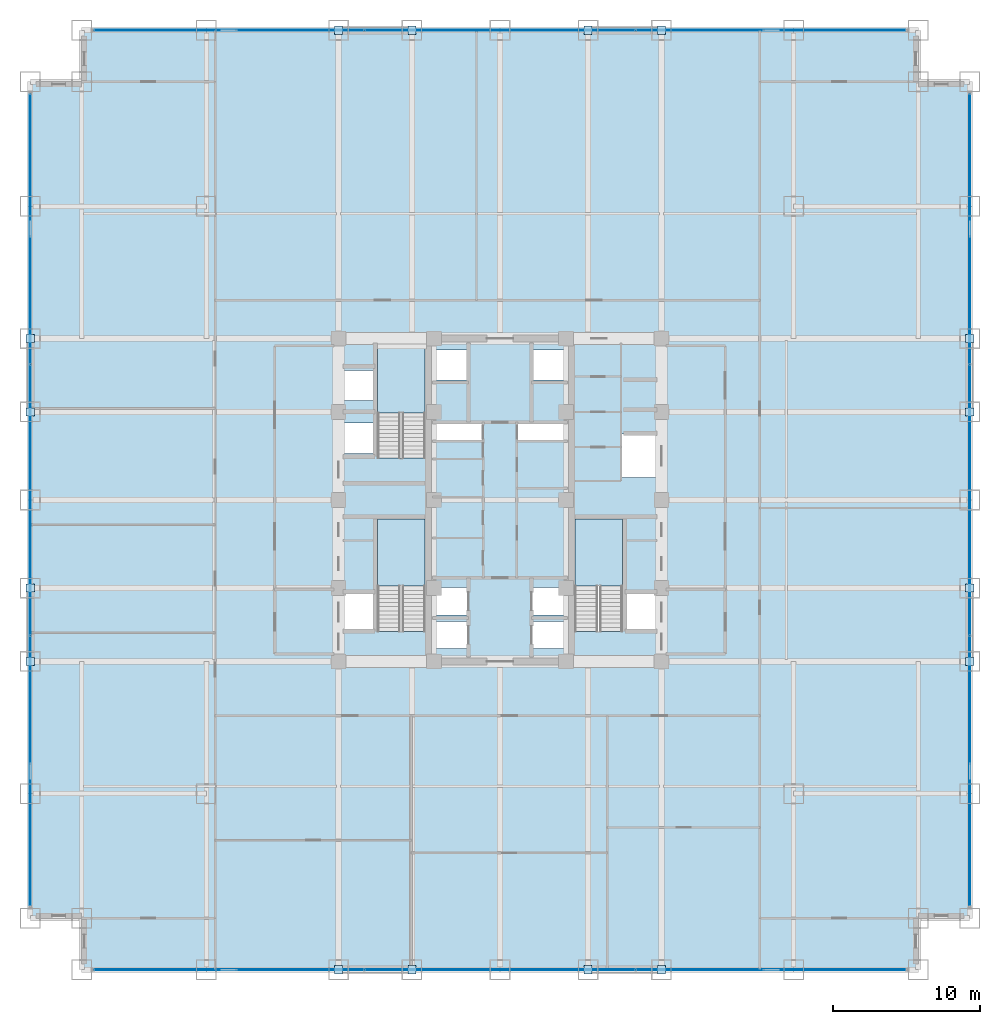
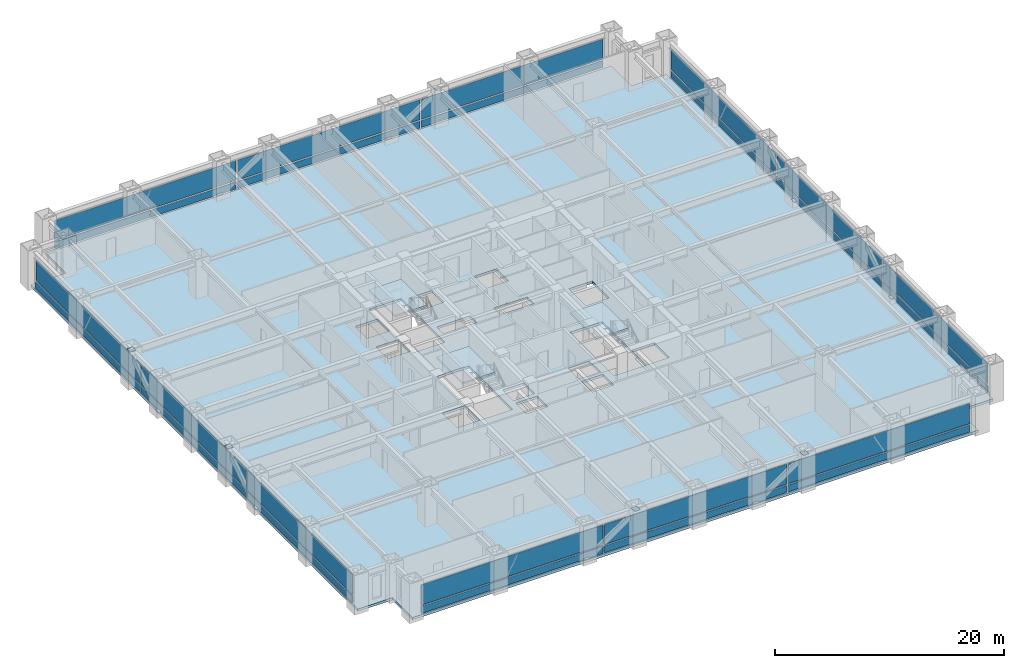
# One storey, part 22 of 28: 40 plates, 4 slabs, 7 elements without a shape of their own.
"""IFC4 building model written with IfcOpenShell, lengths in metres."""

from ifc_helpers import new_model, si_unit, direction, frame, origin, origin_2d, place, context, subcontext, project, spatial, polyline, rectangle, outline, extrude, source, transform, mapped, material, layer, layer_set, type_object, element, aggregate, save


model = new_model("IFC4")

# Units and contexts
model_context = context("Model", 3, precision=1e-05, world=origin(), true_north=direction((0.0, 1.0)))
body_context = subcontext(model_context, "Body", "Model", "MODEL_VIEW")
ifc_project = project(units=[si_unit("LENGTHUNIT", "METRE"), si_unit("AREAUNIT", "SQUARE_METRE"), si_unit("VOLUMEUNIT", "CUBIC_METRE"), si_unit("PLANEANGLEUNIT", "RADIAN"), si_unit("MASSUNIT", "GRAM", prefix="KILO")], contexts=[model_context])

# Site, building, storey
site_placement = place(None, origin())
site = spatial("IfcSite", under=ifc_project, at=site_placement, CompositionType="ELEMENT")
building_placement = place(site_placement, origin())
building = spatial("IfcBuilding", under=site, at=building_placement, Name="Khorayat Bourse Tower", CompositionType="ELEMENT")
storey_placement = place(building_placement, frame((0.0, 0.0, 57.800048828125)))
storey = spatial("IfcBuildingStorey", under=building, at=storey_placement, Name="L12", CompositionType="ELEMENT", Elevation=57.800048828125)

# Stair, slab
ifc_material_1 = material(Name="Concrete C40/50", Category="concrete")
stair_type = type_object("IfcStairType", Name="STR-CORE-1550", PredefinedType="HALF_TURN_STAIR", material=ifc_material_1)
stair_1_placement = place(storey_placement, origin())
stair_1 = element("IfcStair", 1, at=stair_1_placement, inside=storey, type_object=stair_type, Name="L12 Exit Stair ST-1", PredefinedType="HALF_TURN_STAIR")
ifc_layer_1 = layer(ifc_material_1, 0.199951171875)
ifc_layer_set_1 = layer_set([ifc_layer_1], Name="Concrete C40/50")
slab_type_1 = type_object("IfcSlabType", Name="SLB-LANDING-200", PredefinedType="LANDING", material=ifc_layer_set_1)
slab_1_placement = place(storey_placement, frame((0.0, 0.0, 1.89990234375)))
slab_1 = element("IfcSlab", 2, at=slab_1_placement, type_object=slab_type_1, Name="ST-1 landing 1", PredefinedType="LANDING", context=body_context, shape_type="SweptSolid", body=[
    extrude(outline(polyline([(-5.10009765625, -5.8701171875), (-5.10009765625, -1.300048828125), (-8.35009765625, -1.300048828125), (-8.35009765625, -5.8701171875), (-5.10009765625, -5.8701171875)])), origin(), (0.0, 0.0, 1.0), 0.199951171875),
])
aggregate(stair_1, [slab_1])

stair_2_placement = place(storey_placement, origin())
stair_2 = element("IfcStair", 3, at=stair_2_placement, inside=storey, type_object=stair_type, Name="L12 Exit Stair ST-2", PredefinedType="HALF_TURN_STAIR")
slab_2_placement = place(storey_placement, frame((0.0, 0.0, 1.89990234375)))
slab_2 = element("IfcSlab", 4, at=slab_2_placement, type_object=slab_type_1, Name="ST-2 landing 1", PredefinedType="LANDING", context=body_context, shape_type="SweptSolid", body=[
    extrude(outline(polyline([(-5.10009765625, 5.929931640625), (-5.10009765625, 10.5), (-8.35009765625, 10.5), (-8.35009765625, 5.929931640625), (-5.10009765625, 5.929931640625)])), origin(), (0.0, 0.0, 1.0), 0.199951171875),
])
aggregate(stair_2, [slab_2])

stair_3_placement = place(storey_placement, origin())
stair_3 = element("IfcStair", 5, at=stair_3_placement, inside=storey, type_object=stair_type, Name="L12 Exit Stair ST-3", PredefinedType="HALF_TURN_STAIR")
slab_3_placement = place(storey_placement, frame((0.0, 0.0, 1.89990234375)))
slab_3 = element("IfcSlab", 6, at=slab_3_placement, type_object=slab_type_1, Name="ST-3 landing 1", PredefinedType="LANDING", context=body_context, shape_type="SweptSolid", body=[
    extrude(outline(polyline([(8.35009765625, -5.8701171875), (8.35009765625, -1.300048828125), (5.10009765625, -1.300048828125), (5.10009765625, -5.8701171875), (8.35009765625, -5.8701171875)])), origin(), (0.0, 0.0, 1.0), 0.199951171875),
])
aggregate(stair_3, [slab_3])

# Slab
ifc_layer_2 = layer(ifc_material_1, 0.260009765625)
ifc_layer_set_2 = layer_set([ifc_layer_2], Name="Concrete C40/50")
slab_type_2 = type_object("IfcSlabType", Name="SLB-TRADE-260", PredefinedType="FLOOR", material=ifc_layer_set_2)
slab_4_placement = place(storey_placement, frame((0.0, 0.0, -0.260009765625)))
element("IfcSlab", 7, at=slab_4_placement, inside=storey, type_object=slab_type_2, Name="L12 Main Floor Slab", PredefinedType="FLOOR", context=body_context, shape_type="SweptSolid", body=[
    extrude(outline(polyline([(-28.5, -32.0), (28.5, -32.0), (28.5, -28.5), (32.0, -28.5), (32.0, 28.5), (28.5, 28.5), (28.5, 32.0), (-28.5, 32.0), (-28.5, 28.5), (-32.0, 28.5), (-32.0, -28.5), (-28.5, -28.5), (-28.5, -32.0)]), holes=[polyline([(-8.35009765625, -8.945068359375), (-5.10009765625, -8.945068359375), (-5.10009765625, -1.300048828125), (-8.35009765625, -1.300048828125), (-8.35009765625, -8.945068359375)]), polyline([(-8.35009765625, 2.85498046875), (-5.10009765625, 2.85498046875), (-5.10009765625, 10.5), (-8.35009765625, 10.5), (-8.35009765625, 2.85498046875)]), polyline([(5.10009765625, -8.945068359375), (8.35009765625, -8.945068359375), (8.35009765625, -1.300048828125), (5.10009765625, -1.300048828125), (5.10009765625, -8.945068359375)]), polyline([(-4.3798828125, -10.1298828125), (-2.219970703125, -10.1298828125), (-2.219970703125, -8.27001953125), (-4.3798828125, -8.27001953125), (-4.3798828125, -10.1298828125)]), polyline([(2.219970703125, -10.1298828125), (4.3798828125, -10.1298828125), (4.3798828125, -8.27001953125), (2.219970703125, -8.27001953125), (2.219970703125, -10.1298828125)]), polyline([(-4.3798828125, -7.830078125), (-2.219970703125, -7.830078125), (-2.219970703125, -5.969970703125), (-4.3798828125, -5.969970703125), (-4.3798828125, -7.830078125)]), polyline([(2.219970703125, -7.830078125), (4.3798828125, -7.830078125), (4.3798828125, -5.969970703125), (2.219970703125, -5.969970703125), (2.219970703125, -7.830078125)]), polyline([(-4.3798828125, 8.169921875), (-2.1201171875, 8.169921875), (-2.1201171875, 10.22998046875), (-4.3798828125, 10.22998046875), (-4.3798828125, 8.169921875)]), polyline([(2.1201171875, 8.169921875), (4.3798828125, 8.169921875), (4.3798828125, 10.22998046875), (2.1201171875, 10.22998046875), (2.1201171875, 8.169921875)]), polyline([(-10.679931640625, 3.169921875), (-8.419921875, 3.169921875), (-8.419921875, 5.22998046875), (-10.679931640625, 5.22998046875), (-10.679931640625, 3.169921875)]), polyline([(-10.679931640625, 6.77001953125), (-8.419921875, 6.77001953125), (-8.419921875, 8.830078125), (-10.679931640625, 8.830078125), (-10.679931640625, 6.77001953125)]), polyline([(-10.679931640625, -8.929931640625), (-8.419921875, -8.929931640625), (-8.419921875, -6.3701171875), (-10.679931640625, -6.3701171875), (-10.679931640625, -8.929931640625)]), polyline([(8.419921875, -8.929931640625), (10.679931640625, -8.929931640625), (10.679931640625, -6.3701171875), (8.419921875, -6.3701171875), (8.419921875, -8.929931640625)]), polyline([(8.320068359375, 1.52001953125), (10.679931640625, 1.52001953125), (10.679931640625, 4.47998046875), (8.320068359375, 4.47998046875), (8.320068359375, 1.52001953125)]), polyline([(-4.56005859375, 4.080078125), (-1.18994140625, 4.080078125), (-1.18994140625, 5.219970703125), (-4.56005859375, 5.219970703125), (-4.56005859375, 4.080078125)]), polyline([(1.18994140625, 4.080078125), (4.56005859375, 4.080078125), (4.56005859375, 5.219970703125), (1.18994140625, 5.219970703125), (1.18994140625, 4.080078125)])]), origin(), (0.0, 0.0, 1.0), 0.260009765625),
])

# Plates
ifc_material_2 = material(Name="Steel EN 10025-2 S355J2", Category="steel")
ifc_layer_3 = layer(ifc_material_2, 0.02490234375)
ifc_layer_set_3 = layer_set([ifc_layer_3], Name="Steel EN 10025-2 S355J2")
plate_type_1 = type_object("IfcPlateType", Name="PLT-ENDCAP-25", PredefinedType="SHEET", material=ifc_layer_set_3)
shared_shape_1 = source(origin(), body_context, "Body", "SweptSolid", [
    extrude(rectangle(XDim=0.56005859375, YDim=0.56005859375, at=origin_2d()), origin(), (0.0, 0.0, 1.0), 0.02490234375),
])
for number, where, z_axis, x_axis, name in (
    (8, (-11.0, -32.0, 0.237548828125), (0.0, 0.0, 1.0), (1.0, 0.0, 0.0), "L12 Perimeter Brace End Plate 001"),
    (9, (-6.0, -32.0, 3.677490234375), (0.0, 0.0, 1.0), (1.0, 0.0, 0.0), "L12 Perimeter Brace End Plate 002"),
    (10, (6.0, -32.0, 0.237548828125), (0.0, 0.0, 1.0), (1.0, 0.0, 0.0), "L12 Perimeter Brace End Plate 003"),
    (11, (11.0, -32.0, 3.677490234375), (0.0, 0.0, 1.0), (1.0, 0.0, 0.0), "L12 Perimeter Brace End Plate 004"),
    (12, (-11.0, 32.0, 0.237548828125), (0.0, 0.0, 1.0), (1.0, 0.0, 0.0), "L12 Perimeter Brace End Plate 005"),
    (13, (-6.0, 32.0, 3.677490234375), (0.0, 0.0, 1.0), (1.0, 0.0, 0.0), "L12 Perimeter Brace End Plate 006"),
    (14, (6.0, 32.0, 0.237548828125), (0.0, 0.0, 1.0), (1.0, 0.0, 0.0), "L12 Perimeter Brace End Plate 007"),
    (15, (11.0, 32.0, 3.677490234375), (0.0, 0.0, 1.0), (1.0, 0.0, 0.0), "L12 Perimeter Brace End Plate 008"),
    (16, (-32.0, -11.0, 0.237548828125), (0.0, 0.0, 1.0), (1.0, 0.0, 0.0), "L12 Perimeter Brace End Plate 009"),
    (17, (-32.0, -6.0, 3.677490234375), (0.0, 0.0, 1.0), (1.0, 0.0, 0.0), "L12 Perimeter Brace End Plate 010"),
    (18, (-32.0, 6.0, 0.237548828125), (0.0, 0.0, 1.0), (1.0, 0.0, 0.0), "L12 Perimeter Brace End Plate 011"),
    (19, (-32.0, 11.0, 3.677490234375), (0.0, 0.0, 1.0), (1.0, 0.0, 0.0), "L12 Perimeter Brace End Plate 012"),
    (20, (32.0, -11.0, 0.237548828125), (0.0, 0.0, 1.0), (1.0, 0.0, 0.0), "L12 Perimeter Brace End Plate 013"),
    (21, (32.0, -6.0, 3.677490234375), (0.0, 0.0, 1.0), (1.0, 0.0, 0.0), "L12 Perimeter Brace End Plate 014"),
    (22, (32.0, 6.0, 0.237548828125), (0.0, 0.0, 1.0), (1.0, 0.0, 0.0), "L12 Perimeter Brace End Plate 015"),
    (23, (32.0, 11.0, 3.677490234375), (0.0, 0.0, 1.0), (1.0, 0.0, 0.0), "L12 Perimeter Brace End Plate 016"),
):
    element("IfcPlate", number, at=place(storey_placement, frame(where, z_axis=z_axis, x_axis=x_axis)), inside=storey, type_object=plate_type_1, Name=name, PredefinedType="SHEET", context=body_context, shape_type="MappedRepresentation", body=[
        mapped(shared_shape_1, transform((0.0, 0.0, 0.0), scale=1.0)),
    ])

# Curtain wall, plates
ifc_material_3 = material(Name="Aluminium EN AW-6063 T6", Category="aluminium")
curtain_wall_type = type_object("IfcCurtainWallType", Name="CW-SYS-02", PredefinedType="NOTDEFINED", material=ifc_material_3)
curtain_wall_1_placement = place(storey_placement, origin())
curtain_wall_1 = element("IfcCurtainWall", 24, at=curtain_wall_1_placement, inside=storey, type_object=curtain_wall_type, Name="L12 Curtain Wall CW-L12-S1", PredefinedType="NOTDEFINED")
ifc_material_4 = material(Name="Honed desert limestone insulated spandrel", Category="masonry")
ifc_layer_4 = layer(ifc_material_4, 0.06494140625)
ifc_layer_set_4 = layer_set([ifc_layer_4], Name="Honed desert limestone insulated spandrel")
plate_type_2 = type_object("IfcPlateType", Name="CWP-SPAND-03", PredefinedType="CURTAIN_PANEL", material=ifc_layer_set_4)
shared_shape_2 = source(origin(), body_context, "Body", "SweptSolid", [
    extrude(rectangle(XDim=18.2900390625, YDim=0.06494140625, at=origin_2d()), origin(), (0.0, 0.0, 1.0), 0.739990234375),
])
plate_1_placement = place(storey_placement, frame((-18.465087890625, -32.0, 0.14013671875), z_axis=(0.0, 0.0, 1.0), x_axis=(1.0, 0.0, 0.0)))
plate_1 = element("IfcPlate", 25, at=plate_1_placement, type_object=plate_type_2, Name="CW-L12-S1 Spandrel Panel 1-1", PredefinedType="CURTAIN_PANEL", context=body_context, shape_type="MappedRepresentation", body=[
    mapped(shared_shape_2, transform((0.0, 0.0, 0.0), scale=1.0)),
])
plate_2_placement = place(storey_placement, frame((18.465087890625, -32.0, 0.14013671875), z_axis=(0.0, 0.0, 1.0), x_axis=(1.0, 0.0, 0.0)))
plate_2 = element("IfcPlate", 26, at=plate_2_placement, type_object=plate_type_2, Name="CW-L12-S1 Spandrel Panel 3-1", PredefinedType="CURTAIN_PANEL", context=body_context, shape_type="MappedRepresentation", body=[
    mapped(shared_shape_2, transform((0.0, 0.0, 0.0), scale=1.0)),
])

curtain_wall_2_placement = place(storey_placement, origin())
curtain_wall_2 = element("IfcCurtainWall", 27, at=curtain_wall_2_placement, inside=storey, type_object=curtain_wall_type, Name="L12 Curtain Wall CW-L12-N1", PredefinedType="NOTDEFINED")
plate_3_placement = place(storey_placement, frame((-18.465087890625, 32.0, 0.14013671875), z_axis=(0.0, 0.0, 1.0), x_axis=(1.0, 0.0, 0.0)))
plate_3 = element("IfcPlate", 28, at=plate_3_placement, type_object=plate_type_2, Name="CW-L12-N1 Spandrel Panel 1-1", PredefinedType="CURTAIN_PANEL", context=body_context, shape_type="MappedRepresentation", body=[
    mapped(shared_shape_2, transform((0.0, 0.0, 0.0), scale=1.0)),
])
plate_4_placement = place(storey_placement, frame((18.465087890625, 32.0, 0.14013671875), z_axis=(0.0, 0.0, 1.0), x_axis=(1.0, 0.0, 0.0)))
plate_4 = element("IfcPlate", 29, at=plate_4_placement, type_object=plate_type_2, Name="CW-L12-N1 Spandrel Panel 3-1", PredefinedType="CURTAIN_PANEL", context=body_context, shape_type="MappedRepresentation", body=[
    mapped(shared_shape_2, transform((0.0, 0.0, 0.0), scale=1.0)),
])

curtain_wall_3_placement = place(storey_placement, origin())
curtain_wall_3 = element("IfcCurtainWall", 30, at=curtain_wall_3_placement, inside=storey, type_object=curtain_wall_type, Name="L12 Curtain Wall CW-L12-W1", PredefinedType="NOTDEFINED")
plate_5_placement = place(storey_placement, frame((-32.0, -18.465087890625, 0.14013671875), z_axis=(0.0, 0.0, 1.0), x_axis=(0.0, 1.0, 0.0)))
plate_5 = element("IfcPlate", 31, at=plate_5_placement, type_object=plate_type_2, Name="CW-L12-W1 Spandrel Panel 1-1", PredefinedType="CURTAIN_PANEL", context=body_context, shape_type="MappedRepresentation", body=[
    mapped(shared_shape_2, transform((0.0, 0.0, 0.0), scale=1.0)),
])
plate_6_placement = place(storey_placement, frame((-32.0, 18.465087890625, 0.14013671875), z_axis=(0.0, 0.0, 1.0), x_axis=(0.0, 1.0, 0.0)))
plate_6 = element("IfcPlate", 32, at=plate_6_placement, type_object=plate_type_2, Name="CW-L12-W1 Spandrel Panel 3-1", PredefinedType="CURTAIN_PANEL", context=body_context, shape_type="MappedRepresentation", body=[
    mapped(shared_shape_2, transform((0.0, 0.0, 0.0), scale=1.0)),
])

curtain_wall_4_placement = place(storey_placement, origin())
curtain_wall_4 = element("IfcCurtainWall", 33, at=curtain_wall_4_placement, inside=storey, type_object=curtain_wall_type, Name="L12 Curtain Wall CW-L12-E1", PredefinedType="NOTDEFINED")
plate_7_placement = place(storey_placement, frame((32.0, -18.465087890625, 0.14013671875), z_axis=(0.0, 0.0, 1.0), x_axis=(0.0, 1.0, 0.0)))
plate_7 = element("IfcPlate", 34, at=plate_7_placement, type_object=plate_type_2, Name="CW-L12-E1 Spandrel Panel 1-1", PredefinedType="CURTAIN_PANEL", context=body_context, shape_type="MappedRepresentation", body=[
    mapped(shared_shape_2, transform((0.0, 0.0, 0.0), scale=1.0)),
])
plate_8_placement = place(storey_placement, frame((32.0, 18.465087890625, 0.14013671875), z_axis=(0.0, 0.0, 1.0), x_axis=(0.0, 1.0, 0.0)))
plate_8 = element("IfcPlate", 35, at=plate_8_placement, type_object=plate_type_2, Name="CW-L12-E1 Spandrel Panel 3-1", PredefinedType="CURTAIN_PANEL", context=body_context, shape_type="MappedRepresentation", body=[
    mapped(shared_shape_2, transform((0.0, 0.0, 0.0), scale=1.0)),
])

# Plate
ifc_material_5 = material(Name="Low-E solar-control laminated double glazing", Category="glass")
ifc_layer_5 = layer(ifc_material_5, 0.0419921875)
ifc_layer_set_5 = layer_set([ifc_layer_5], Name="Low-E solar-control laminated double glazing")
plate_type_3 = type_object("IfcPlateType", Name="CWP-FACET-02", PredefinedType="CURTAIN_PANEL", material=ifc_layer_set_5)
shared_shape_3 = source(origin(), body_context, "Body", "SweptSolid", [
    extrude(rectangle(XDim=18.2900390625, YDim=0.0419921875, at=origin_2d()), origin(), (0.0, 0.0, 1.0), 2.1298828125),
])
plate_9_placement = place(storey_placement, frame((-18.465087890625, -32.0, 1.02001953125), z_axis=(0.0, 0.0, 1.0), x_axis=(1.0, 0.0, 0.0)))
plate_9 = element("IfcPlate", 36, at=plate_9_placement, type_object=plate_type_3, Name="CW-L12-S1 Vision Panel 1-2", PredefinedType="CURTAIN_PANEL", context=body_context, shape_type="MappedRepresentation", body=[
    mapped(shared_shape_3, transform((0.0, 0.0, 0.0), scale=1.0)),
])

plate_10_placement = place(storey_placement, frame((18.465087890625, -32.0, 1.02001953125), z_axis=(0.0, 0.0, 1.0), x_axis=(1.0, 0.0, 0.0)))
plate_10 = element("IfcPlate", 37, at=plate_10_placement, type_object=plate_type_3, Name="CW-L12-S1 Vision Panel 3-2", PredefinedType="CURTAIN_PANEL", context=body_context, shape_type="MappedRepresentation", body=[
    mapped(shared_shape_3, transform((0.0, 0.0, 0.0), scale=1.0)),
])

plate_11_placement = place(storey_placement, frame((-18.465087890625, 32.0, 1.02001953125), z_axis=(0.0, 0.0, 1.0), x_axis=(1.0, 0.0, 0.0)))
plate_11 = element("IfcPlate", 38, at=plate_11_placement, type_object=plate_type_3, Name="CW-L12-N1 Vision Panel 1-2", PredefinedType="CURTAIN_PANEL", context=body_context, shape_type="MappedRepresentation", body=[
    mapped(shared_shape_3, transform((0.0, 0.0, 0.0), scale=1.0)),
])

plate_12_placement = place(storey_placement, frame((18.465087890625, 32.0, 1.02001953125), z_axis=(0.0, 0.0, 1.0), x_axis=(1.0, 0.0, 0.0)))
plate_12 = element("IfcPlate", 39, at=plate_12_placement, type_object=plate_type_3, Name="CW-L12-N1 Vision Panel 3-2", PredefinedType="CURTAIN_PANEL", context=body_context, shape_type="MappedRepresentation", body=[
    mapped(shared_shape_3, transform((0.0, 0.0, 0.0), scale=1.0)),
])

plate_13_placement = place(storey_placement, frame((-32.0, -18.465087890625, 1.02001953125), z_axis=(0.0, 0.0, 1.0), x_axis=(0.0, 1.0, 0.0)))
plate_13 = element("IfcPlate", 40, at=plate_13_placement, type_object=plate_type_3, Name="CW-L12-W1 Vision Panel 1-2", PredefinedType="CURTAIN_PANEL", context=body_context, shape_type="MappedRepresentation", body=[
    mapped(shared_shape_3, transform((0.0, 0.0, 0.0), scale=1.0)),
])

plate_14_placement = place(storey_placement, frame((-32.0, 18.465087890625, 1.02001953125), z_axis=(0.0, 0.0, 1.0), x_axis=(0.0, 1.0, 0.0)))
plate_14 = element("IfcPlate", 41, at=plate_14_placement, type_object=plate_type_3, Name="CW-L12-W1 Vision Panel 3-2", PredefinedType="CURTAIN_PANEL", context=body_context, shape_type="MappedRepresentation", body=[
    mapped(shared_shape_3, transform((0.0, 0.0, 0.0), scale=1.0)),
])

plate_15_placement = place(storey_placement, frame((32.0, -18.465087890625, 1.02001953125), z_axis=(0.0, 0.0, 1.0), x_axis=(0.0, 1.0, 0.0)))
plate_15 = element("IfcPlate", 42, at=plate_15_placement, type_object=plate_type_3, Name="CW-L12-E1 Vision Panel 1-2", PredefinedType="CURTAIN_PANEL", context=body_context, shape_type="MappedRepresentation", body=[
    mapped(shared_shape_3, transform((0.0, 0.0, 0.0), scale=1.0)),
])

plate_16_placement = place(storey_placement, frame((32.0, 18.465087890625, 1.02001953125), z_axis=(0.0, 0.0, 1.0), x_axis=(0.0, 1.0, 0.0)))
plate_16 = element("IfcPlate", 43, at=plate_16_placement, type_object=plate_type_3, Name="CW-L12-E1 Vision Panel 3-2", PredefinedType="CURTAIN_PANEL", context=body_context, shape_type="MappedRepresentation", body=[
    mapped(shared_shape_3, transform((0.0, 0.0, 0.0), scale=1.0)),
])

shared_shape_4 = source(origin(), body_context, "Body", "SweptSolid", [
    extrude(rectangle(XDim=18.360107421875, YDim=0.06494140625, at=origin_2d()), origin(), (0.0, 0.0, 1.0), 0.739990234375),
])
plate_17_placement = place(storey_placement, frame((0.0, -32.0, 0.14013671875), z_axis=(0.0, 0.0, 1.0), x_axis=(1.0, 0.0, 0.0)))
plate_17 = element("IfcPlate", 44, at=plate_17_placement, type_object=plate_type_2, Name="CW-L12-S1 Spandrel Panel 2-1", PredefinedType="CURTAIN_PANEL", context=body_context, shape_type="MappedRepresentation", body=[
    mapped(shared_shape_4, transform((0.0, 0.0, 0.0), scale=1.0)),
])

plate_18_placement = place(storey_placement, frame((0.0, 32.0, 0.14013671875), z_axis=(0.0, 0.0, 1.0), x_axis=(1.0, 0.0, 0.0)))
plate_18 = element("IfcPlate", 45, at=plate_18_placement, type_object=plate_type_2, Name="CW-L12-N1 Spandrel Panel 2-1", PredefinedType="CURTAIN_PANEL", context=body_context, shape_type="MappedRepresentation", body=[
    mapped(shared_shape_4, transform((0.0, 0.0, 0.0), scale=1.0)),
])

plate_19_placement = place(storey_placement, frame((-32.0, 0.0, 0.14013671875), z_axis=(0.0, 0.0, 1.0), x_axis=(0.0, 1.0, 0.0)))
plate_19 = element("IfcPlate", 46, at=plate_19_placement, type_object=plate_type_2, Name="CW-L12-W1 Spandrel Panel 2-1", PredefinedType="CURTAIN_PANEL", context=body_context, shape_type="MappedRepresentation", body=[
    mapped(shared_shape_4, transform((0.0, 0.0, 0.0), scale=1.0)),
])

plate_20_placement = place(storey_placement, frame((32.0, 0.0, 0.14013671875), z_axis=(0.0, 0.0, 1.0), x_axis=(0.0, 1.0, 0.0)))
plate_20 = element("IfcPlate", 47, at=plate_20_placement, type_object=plate_type_2, Name="CW-L12-E1 Spandrel Panel 2-1", PredefinedType="CURTAIN_PANEL", context=body_context, shape_type="MappedRepresentation", body=[
    mapped(shared_shape_4, transform((0.0, 0.0, 0.0), scale=1.0)),
])

shared_shape_5 = source(origin(), body_context, "Body", "SweptSolid", [
    extrude(rectangle(XDim=18.360107421875, YDim=0.0419921875, at=origin_2d()), origin(), (0.0, 0.0, 1.0), 2.1298828125),
])
plate_21_placement = place(storey_placement, frame((0.0, -32.0, 1.02001953125), z_axis=(0.0, 0.0, 1.0), x_axis=(1.0, 0.0, 0.0)))
plate_21 = element("IfcPlate", 48, at=plate_21_placement, type_object=plate_type_3, Name="CW-L12-S1 Vision Panel 2-2", PredefinedType="CURTAIN_PANEL", context=body_context, shape_type="MappedRepresentation", body=[
    mapped(shared_shape_5, transform((0.0, 0.0, 0.0), scale=1.0)),
])

aggregate(curtain_wall_1, [plate_1, plate_9, plate_17, plate_21, plate_2, plate_10])

plate_22_placement = place(storey_placement, frame((0.0, 32.0, 1.02001953125), z_axis=(0.0, 0.0, 1.0), x_axis=(1.0, 0.0, 0.0)))
plate_22 = element("IfcPlate", 49, at=plate_22_placement, type_object=plate_type_3, Name="CW-L12-N1 Vision Panel 2-2", PredefinedType="CURTAIN_PANEL", context=body_context, shape_type="MappedRepresentation", body=[
    mapped(shared_shape_5, transform((0.0, 0.0, 0.0), scale=1.0)),
])

aggregate(curtain_wall_2, [plate_3, plate_11, plate_18, plate_22, plate_4, plate_12])

plate_23_placement = place(storey_placement, frame((-32.0, 0.0, 1.02001953125), z_axis=(0.0, 0.0, 1.0), x_axis=(0.0, 1.0, 0.0)))
plate_23 = element("IfcPlate", 50, at=plate_23_placement, type_object=plate_type_3, Name="CW-L12-W1 Vision Panel 2-2", PredefinedType="CURTAIN_PANEL", context=body_context, shape_type="MappedRepresentation", body=[
    mapped(shared_shape_5, transform((0.0, 0.0, 0.0), scale=1.0)),
])

aggregate(curtain_wall_3, [plate_5, plate_13, plate_19, plate_23, plate_6, plate_14])

plate_24_placement = place(storey_placement, frame((32.0, 0.0, 1.02001953125), z_axis=(0.0, 0.0, 1.0), x_axis=(0.0, 1.0, 0.0)))
plate_24 = element("IfcPlate", 51, at=plate_24_placement, type_object=plate_type_3, Name="CW-L12-E1 Vision Panel 2-2", PredefinedType="CURTAIN_PANEL", context=body_context, shape_type="MappedRepresentation", body=[
    mapped(shared_shape_5, transform((0.0, 0.0, 0.0), scale=1.0)),
])

aggregate(curtain_wall_4, [plate_7, plate_15, plate_20, plate_24, plate_8, plate_16])

save(model, "model.ifc")
